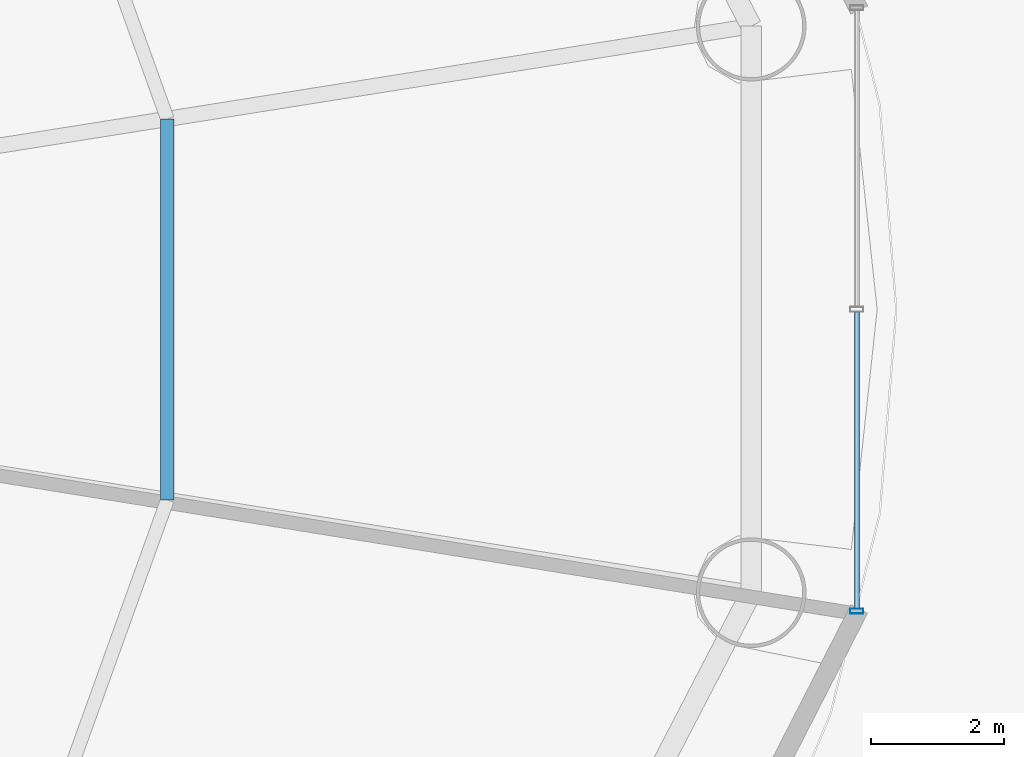
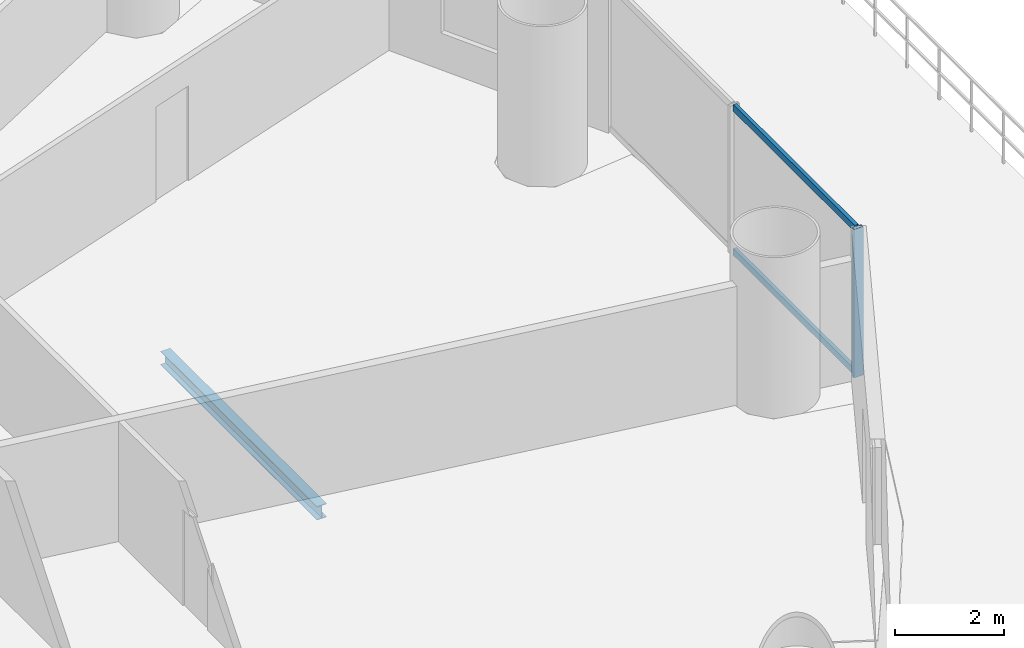
# One storey, part 17 of 37: 3 members, 1 beam, 1 element without a shape of its own.
"""IFC4 building model written with IfcOpenShell, lengths in metres."""

from ifc_helpers import new_model, si_unit, direction, frame, origin, origin_2d, place, context, subcontext, project, spatial, hollow_rectangle, i_section, extrude, source, transform, mapped, material, material_profile, profile_set, type_object, element, aggregate, save


model = new_model("IFC4")

# Units and contexts
model_context = context("Model", 3, precision=1e-05, world=origin(), true_north=direction((-0.2419218956, 0.970295726276)))
body_context = subcontext(model_context, "Body", "Model", "MODEL_VIEW")
ifc_project = project(units=[si_unit("LENGTHUNIT", "METRE"), si_unit("AREAUNIT", "SQUARE_METRE"), si_unit("VOLUMEUNIT", "CUBIC_METRE"), si_unit("PLANEANGLEUNIT", "RADIAN"), si_unit("MASSUNIT", "GRAM", prefix="KILO")], contexts=[model_context])

# Site, building, storey
site_placement = place(None, origin())
site = spatial("IfcSite", under=ifc_project, at=site_placement, CompositionType="ELEMENT")
building_placement = place(site_placement, origin())
building = spatial("IfcBuilding", under=site, at=building_placement, Name="Cobrevalo Terracotta Tower", CompositionType="ELEMENT")
storey_placement = place(building_placement, frame((0.0, 0.0, 24.0)))
storey = spatial("IfcBuildingStorey", under=building, at=storey_placement, Name="L05", CompositionType="ELEMENT", Elevation=24.0)

# Beam
ifc_material_1 = material(Name="Steel S355", Category="steel")
ifc_material_profile_1 = material_profile(ifc_material_1, i_section(OverallWidth=0.2041015625, OverallDepth=0.305908203125, WebThickness=0.008544921875, FlangeThickness=0.0146484375, at=origin_2d()), Name="W 310x67")
ifc_profile_set_1 = profile_set([ifc_material_profile_1], Name="Steel S355")
beam_type = type_object("IfcBeamType", Name="Structural Joist W 310x67 (Steel S355)", PredefinedType="JOIST", material=ifc_profile_set_1)
beam_placement = place(storey_placement, frame((56.039794921875, 23.933349609375, -0.43310546875), z_axis=(0.0, 1.0, 0.0), x_axis=(-1.0, 0.0, 0.0)))
element("IfcBeam", 1, at=beam_placement, inside=storey, type_object=beam_type, Name="L05 circumferential secondary floor joist 16", PredefinedType="JOIST", context=body_context, shape_type="SweptSolid", body=[
    extrude(i_section(OverallWidth=0.2041015625, OverallDepth=0.305908203125, WebThickness=0.008544921875, FlangeThickness=0.0146484375, at=origin_2d()), origin(), (0.0, 0.0, 1.0), 5.7333984375),
])

# Curtain wall, members
ifc_material_2 = material(Name="Anodized aluminium", Category="aluminium")
curtain_wall_type = type_object("IfcCurtainWallType", Name="Lower-tower unitised acoustic low-E curtain wall CW-U1", PredefinedType="NOTDEFINED", material=ifc_material_2)
curtain_wall_placement = place(storey_placement, origin())
curtain_wall = element("IfcCurtainWall", 2, at=curtain_wall_placement, inside=storey, type_object=curtain_wall_type, Name="L05 curtain wall CW-L05-S16", PredefinedType="NOTDEFINED")
ifc_material_profile_2 = material_profile(ifc_material_2, hollow_rectangle(XDim=0.074951171875, YDim=0.199951171875, WallThickness=0.0048828125, at=origin_2d()), Name="CWM 75x200")
ifc_profile_set_2 = profile_set([ifc_material_profile_2], Name="Anodized aluminium")
member_type_1 = type_object("IfcMemberType", Name="Lower/mid tower unitised mullion 75x200", PredefinedType="MULLION", material=ifc_profile_set_2)
shared_shape_1 = source(origin(), body_context, "Body", "SweptSolid", [
    extrude(hollow_rectangle(XDim=0.074951171875, YDim=0.199951171875, WallThickness=0.0048828125, at=origin_2d()), origin(), (0.0, 0.0, 1.0), 3.320068359375),
])
member_1_placement = place(storey_placement, frame((66.413330078125, 22.26123046875, 0.0), z_axis=(0.0, 0.0, 1.0), x_axis=(0.0, 1.0, 0.0)))
member_1 = element("IfcMember", 3, at=member_1_placement, type_object=member_type_1, Name="CW-L05-S16 vertical mullion 01", PredefinedType="MULLION", context=body_context, shape_type="MappedRepresentation", body=[
    mapped(shared_shape_1, transform((0.0, 0.0, 0.0), scale=1.0)),
])
ifc_material_profile_3 = material_profile(ifc_material_2, hollow_rectangle(XDim=0.074951171875, YDim=0.14990234375, WallThickness=0.00439453125, at=origin_2d()), Name="CWT 75x150")
ifc_profile_set_3 = profile_set([ifc_material_profile_3], Name="Anodized aluminium")
member_type_2 = type_object("IfcMemberType", Name="Tower unitised aluminium transom 75x150", PredefinedType="USERDEFINED", material=ifc_profile_set_3)
shared_shape_2 = source(origin(), body_context, "Body", "SweptSolid", [
    extrude(hollow_rectangle(XDim=0.074951171875, YDim=0.14990234375, WallThickness=0.00439453125, at=origin_2d()), origin(), (0.0, 0.0, 1.0), 4.458740234375),
])
member_2_placement = place(storey_placement, frame((66.413330078125, 22.30126953125, 0.050048828125), z_axis=(0.0, 1.0, 0.0), x_axis=(-1.0, 0.0, 0.0)))
member_2 = element("IfcMember", 4, at=member_2_placement, type_object=member_type_2, Name="CW-L05-S16 transom B01-T1", ObjectType="TRANSOM", PredefinedType="USERDEFINED", context=body_context, shape_type="MappedRepresentation", body=[
    mapped(shared_shape_2, transform((0.0, 0.0, 0.0), scale=1.0)),
])
member_3_placement = place(storey_placement, frame((66.413330078125, 22.30126953125, 3.27001953125), z_axis=(0.0, 1.0, 0.0), x_axis=(-1.0, 0.0, 0.0)))
member_3 = element("IfcMember", 5, at=member_3_placement, type_object=member_type_2, Name="CW-L05-S16 transom B01-T2", ObjectType="TRANSOM", PredefinedType="USERDEFINED", context=body_context, shape_type="MappedRepresentation", body=[
    mapped(shared_shape_2, transform((0.0, 0.0, 0.0), scale=1.0)),
])
aggregate(curtain_wall, [member_1, member_2, member_3])

save(model, "model.ifc")
